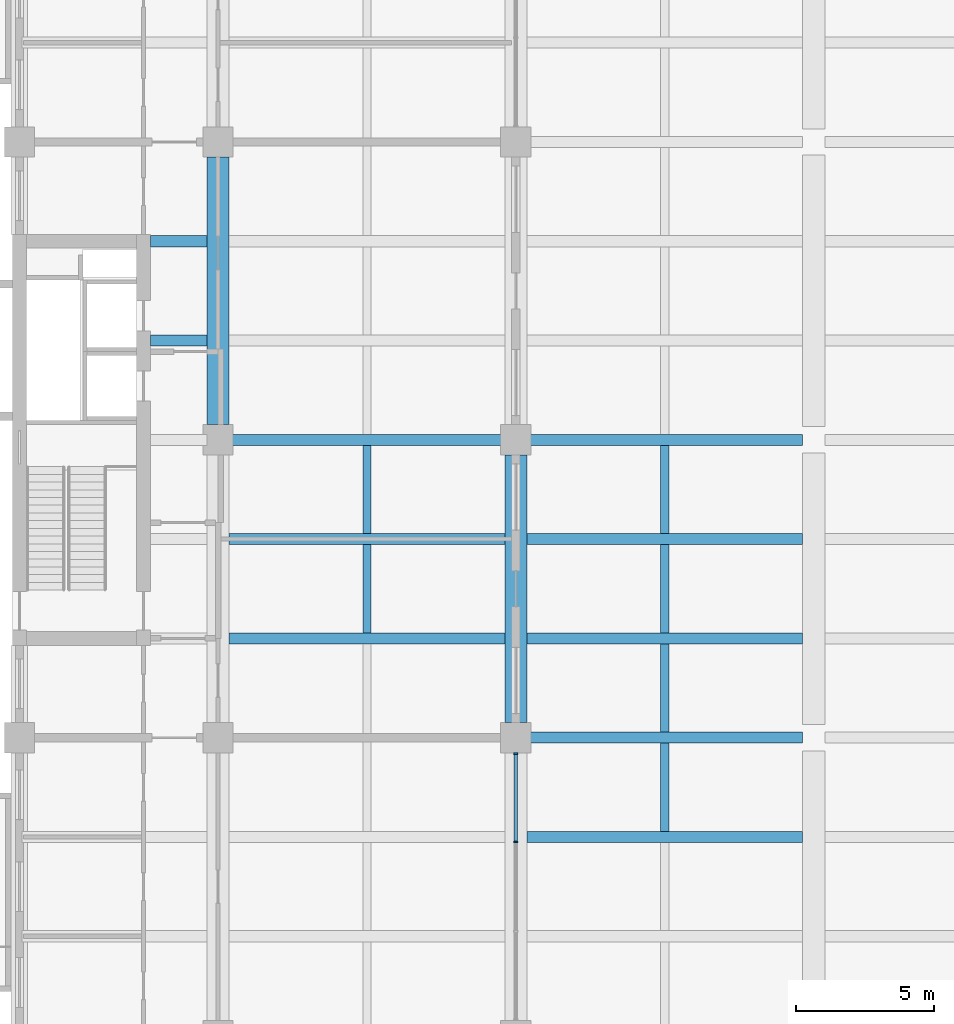
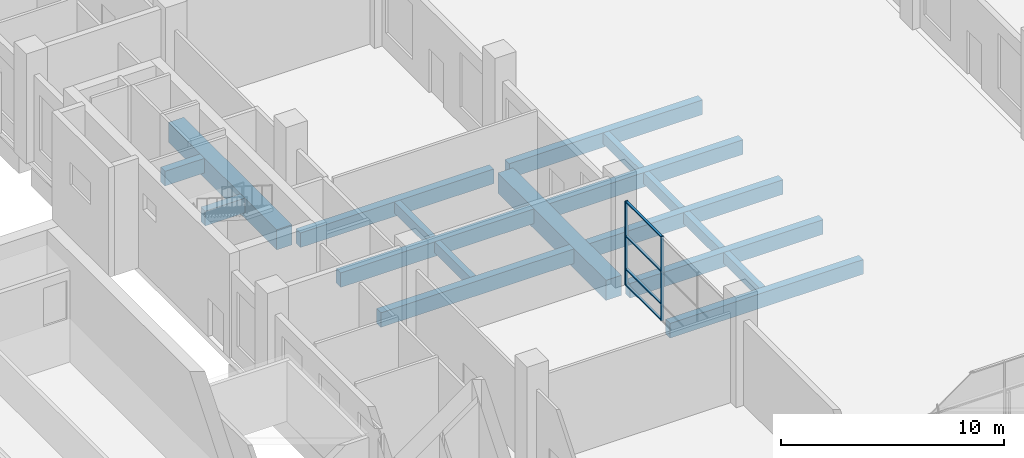
# One storey, part 23 of 71: 18 beams, 6 members, 1 element without a shape of its own.
"""IFC4 building model written with IfcOpenShell, lengths in metres."""

from ifc_helpers import new_model, si_unit, direction, frame, origin, origin_2d, place, context, subcontext, project, spatial, rectangle, extrude, material, layer, layer_set, material_profile, profile_set, type_object, element, aggregate, save


model = new_model("IFC4")

# Units and contexts
model_context = context("Model", 3, precision=1e-05, world=origin(), true_north=direction((0.0, 1.0)))
body_context = subcontext(model_context, "Body", "Model", "MODEL_VIEW")
ifc_project = project(units=[si_unit("LENGTHUNIT", "METRE"), si_unit("AREAUNIT", "SQUARE_METRE"), si_unit("VOLUMEUNIT", "CUBIC_METRE"), si_unit("PLANEANGLEUNIT", "RADIAN"), si_unit("MASSUNIT", "GRAM", prefix="KILO")], contexts=[model_context])

# Site, building, storey
site_placement = place(None, origin())
site = spatial("IfcSite", under=ifc_project, at=site_placement, CompositionType="ELEMENT")
building_placement = place(site_placement, origin())
building = spatial("IfcBuilding", under=site, at=building_placement, Name="Basin Gate Institute", CompositionType="ELEMENT")
storey_placement = place(building_placement, origin())
storey = spatial("IfcBuildingStorey", under=building, at=storey_placement, Name="L00", CompositionType="ELEMENT", Elevation=0.0)

# Beams
ifc_material_1 = material(Name="Concrete 40 MPa", Category="concrete")
ifc_material_profile_1 = material_profile(ifc_material_1, rectangle(XDim=0.39990234375, YDim=0.800048828125, at=origin_2d()), Name="Beam B2 400 x 800")
ifc_profile_set_1 = profile_set([ifc_material_profile_1], Name="Concrete 40 MPa")
beam_type_1 = type_object("IfcBeamType", Name="Beam B2 R180", PredefinedType="BEAM", material=ifc_profile_set_1)
for number, where, z_axis, x_axis, name in (
    (1, (68.800048828125, 60.300048828125, -0.699951171875), (1.0, 0.0, 0.0), (0.0, 1.0, 0.0), "BEAM/L00/W/EW/08"),
    (2, (68.800048828125, 63.89990234375, -0.699951171875), (1.0, 0.0, 0.0), (0.0, 1.0, 0.0), "BEAM/L00/W/EW/09"),
    (3, (68.800048828125, 67.5, -0.699951171875), (1.0, 0.0, 0.0), (0.0, 1.0, 0.0), "BEAM/L00/W/EW/10"),
):
    element("IfcBeam", number, at=place(storey_placement, frame(where, z_axis=z_axis, x_axis=x_axis)), inside=storey, type_object=beam_type_1, material=ifc_profile_set_1, Name=name, PredefinedType="BEAM", context=body_context, shape_type="SweptSolid", body=[
        extrude(rectangle(XDim=0.39990234375, YDim=0.800048828125, at=origin_2d()), origin(), (0.0, 0.0, 1.0), 10.0),
    ])
for number, where, z_axis, x_axis, name in (
    (4, (65.949951171875, 71.10009765625, -0.699951171875), (1.0, 0.0, 0.0), (0.0, 1.0, 0.0), "BEAM/L00/W/CORR/11"),
    (5, (65.949951171875, 74.699951171875, -0.699951171875), (1.0, 0.0, 0.0), (0.0, 1.0, 0.0), "BEAM/L00/W/CORR/12"),
):
    element("IfcBeam", number, at=place(storey_placement, frame(where, z_axis=z_axis, x_axis=x_axis)), inside=storey, type_object=beam_type_1, material=ifc_profile_set_1, Name=name, PredefinedType="BEAM", context=body_context, shape_type="SweptSolid", body=[
        extrude(rectangle(XDim=0.39990234375, YDim=0.800048828125, at=origin_2d()), origin(), (0.0, 0.0, 1.0), 2.050048828125),
    ])
for number, where, z_axis, x_axis, name in (
    (6, (79.60009765625, 53.10009765625, -0.699951171875), (1.0, 0.0, 0.0), (0.0, 1.0, 0.0), "BEAM/L00/CAN/W/06"),
    (7, (79.60009765625, 56.699951171875, -0.699951171875), (1.0, 0.0, 0.0), (0.0, 1.0, 0.0), "BEAM/L00/CAN/W/07"),
    (8, (79.60009765625, 60.300048828125, -0.699951171875), (1.0, 0.0, 0.0), (0.0, 1.0, 0.0), "BEAM/L00/CAN/W/08"),
    (9, (79.60009765625, 63.89990234375, -0.699951171875), (1.0, 0.0, 0.0), (0.0, 1.0, 0.0), "BEAM/L00/CAN/W/09"),
    (10, (79.60009765625, 67.5, -0.699951171875), (1.0, 0.0, 0.0), (0.0, 1.0, 0.0), "BEAM/L00/CAN/W/10"),
):
    element("IfcBeam", number, at=place(storey_placement, frame(where, z_axis=z_axis, x_axis=x_axis)), inside=storey, type_object=beam_type_1, material=ifc_profile_set_1, Name=name, PredefinedType="BEAM", context=body_context, shape_type="SweptSolid", body=[
        extrude(rectangle(XDim=0.39990234375, YDim=0.800048828125, at=origin_2d()), origin(), (0.0, 0.0, 1.0), 10.0),
    ])
ifc_material_2 = material(Name="Concrete 50 MPa", Category="concrete")
ifc_material_profile_2 = material_profile(ifc_material_2, rectangle(XDim=0.800048828125, YDim=1.10009765625, at=origin_2d()), Name="Girder G2 800 x 1100")
ifc_profile_set_2 = profile_set([ifc_material_profile_2], Name="Concrete 50 MPa")
beam_type_2 = type_object("IfcBeamType", Name="Girder G2 R180", PredefinedType="BEAM", material=ifc_profile_set_2)
for number, where, z_axis, x_axis, name in (
    (11, (68.39990234375, 68.050048828125, -0.85009765625), (0.0, 1.0, 0.0), (-1.0, 0.0, 0.0), "GIR/L00/W5/4"),
    (12, (79.199951171875, 57.25, -0.85009765625), (0.0, 1.0, 0.0), (-1.0, 0.0, 0.0), "GIR/L00/W6/3"),
):
    element("IfcBeam", number, at=place(storey_placement, frame(where, z_axis=z_axis, x_axis=x_axis)), inside=storey, type_object=beam_type_2, material=ifc_profile_set_2, Name=name, PredefinedType="BEAM", context=body_context, shape_type="SweptSolid", body=[
        extrude(rectangle(XDim=0.800048828125, YDim=1.10009765625, at=origin_2d()), origin(), (0.0, 0.0, 1.0), 9.699951171875),
    ])

# Curtain wall, members
ifc_material_3 = material(Name="Fire-resistant glazing in steel-free frame", Category="steel")
ifc_layer = layer(ifc_material_3, 0.199951171875)
ifc_layer_set = layer_set([ifc_layer], Name="Fire-resistant glazing in steel-free frame")
curtain_wall_type = type_object("IfcCurtainWallType", Name="Atrium rated curtain wall CW3", PredefinedType="NOTDEFINED", material=ifc_layer_set)
curtain_wall_placement = place(storey_placement, origin())
curtain_wall = element("IfcCurtainWall", 13, at=curtain_wall_placement, inside=storey, type_object=curtain_wall_type, material=ifc_layer_set, Name="Atrium rated curtain wall W wing atrium bay 2 L00", PredefinedType="NOTDEFINED")
ifc_material_4 = material(Name="Aluminium", Category="aluminium")
ifc_material_profile_3 = material_profile(ifc_material_4, rectangle(XDim=0.14990234375, YDim=0.06005859375, at=origin_2d()), Name="Mullion MU3 150 x 60")
ifc_profile_set_3 = profile_set([ifc_material_profile_3], Name="Aluminium")
member_type_1 = type_object("IfcMemberType", Name="Mullion MU3", PredefinedType="MULLION", material=ifc_profile_set_3)
member_1_placement = place(storey_placement, frame((79.199951171875, 52.916748046875, 0.0), z_axis=(0.0, 0.0, 1.0), x_axis=(-1.0, 0.0, 0.0)))
member_1 = element("IfcMember", 14, at=member_1_placement, type_object=member_type_1, material=ifc_profile_set_3, Name="CW3 mullion 3", PredefinedType="MULLION", context=body_context, shape_type="SweptSolid", body=[
    extrude(rectangle(XDim=0.14990234375, YDim=0.06005859375, at=origin_2d()), origin(), (0.0, 0.0, 1.0), 4.60009765625),
])
member_2_placement = place(storey_placement, frame((79.199951171875, 56.1201171875, 0.0), z_axis=(0.0, 0.0, 1.0), x_axis=(-1.0, 0.0, 0.0)))
member_2 = element("IfcMember", 15, at=member_2_placement, type_object=member_type_1, material=ifc_profile_set_3, Name="CW3 mullion 4", PredefinedType="MULLION", context=body_context, shape_type="SweptSolid", body=[
    extrude(rectangle(XDim=0.14990234375, YDim=0.06005859375, at=origin_2d()), origin(), (0.0, 0.0, 1.0), 4.60009765625),
])

# Beams
ifc_material_5 = material(Name="Concrete 40 MPa", Category="concrete")
ifc_material_profile_4 = material_profile(ifc_material_5, rectangle(XDim=0.300048828125, YDim=0.60009765625, at=origin_2d()), Name="Rib R2 300 x 600")
ifc_profile_set_4 = profile_set([ifc_material_profile_4], Name="Concrete 40 MPa")
beam_type_3 = type_object("IfcBeamType", Name="Rib R2 R180", PredefinedType="JOIST", material=ifc_profile_set_4)
for number, where, z_axis, x_axis, name in (
    (16, (73.800048828125, 60.5, -0.60009765625), (0.0, 1.0, 0.0), (-1.0, 0.0, 0.0), "BEAM/L00/W/RIB/08"),
    (17, (73.800048828125, 64.10009765625, -0.60009765625), (0.0, 1.0, 0.0), (-1.0, 0.0, 0.0), "BEAM/L00/W/RIB/09"),
    (18, (84.60009765625, 53.300048828125, -0.60009765625), (0.0, 1.0, 0.0), (-1.0, 0.0, 0.0), "BEAM/L00/CAN/RIBW/06"),
):
    element("IfcBeam", number, at=place(storey_placement, frame(where, z_axis=z_axis, x_axis=x_axis)), inside=storey, type_object=beam_type_3, material=ifc_profile_set_4, Name=name, PredefinedType="JOIST", context=body_context, shape_type="SweptSolid", body=[
        extrude(rectangle(XDim=0.300048828125, YDim=0.60009765625, at=origin_2d()), origin(), (0.0, 0.0, 1.0), 3.199951171875),
    ])
beam_placement = place(storey_placement, frame((84.60009765625, 56.89990234375, -0.60009765625), z_axis=(0.0, 1.0, 0.0), x_axis=(-1.0, 0.0, 0.0)))
element("IfcBeam", 19, at=beam_placement, inside=storey, type_object=beam_type_3, material=ifc_profile_set_4, Name="BEAM/L00/CAN/RIBW/07", PredefinedType="JOIST", context=body_context, shape_type="SweptSolid", body=[
    extrude(rectangle(XDim=0.300048828125, YDim=0.60009765625, at=origin_2d()), origin(), (0.0, 0.0, 1.0), 3.2001953125),
])
for number, where, z_axis, x_axis, name in (
    (20, (84.60009765625, 60.5, -0.60009765625), (0.0, 1.0, 0.0), (-1.0, 0.0, 0.0), "BEAM/L00/CAN/RIBW/08"),
    (21, (84.60009765625, 64.10009765625, -0.60009765625), (0.0, 1.0, 0.0), (-1.0, 0.0, 0.0), "BEAM/L00/CAN/RIBW/09"),
):
    element("IfcBeam", number, at=place(storey_placement, frame(where, z_axis=z_axis, x_axis=x_axis)), inside=storey, type_object=beam_type_3, material=ifc_profile_set_4, Name=name, PredefinedType="JOIST", context=body_context, shape_type="SweptSolid", body=[
        extrude(rectangle(XDim=0.300048828125, YDim=0.60009765625, at=origin_2d()), origin(), (0.0, 0.0, 1.0), 3.199951171875),
    ])

# Member
ifc_material_6 = material(Name="Aluminium", Category="aluminium")
ifc_material_profile_5 = material_profile(ifc_material_6, rectangle(XDim=0.1201171875, YDim=0.06005859375, at=origin_2d()), Name="Transom TR3 120 x 60")
ifc_profile_set_5 = profile_set([ifc_material_profile_5], Name="Aluminium")
member_type_2 = type_object("IfcMemberType", Name="Transom TR3", PredefinedType="USERDEFINED", material=ifc_profile_set_5)
member_3_placement = place(storey_placement, frame((79.199951171875, 52.94677734375, 0.030029296875), z_axis=(0.0, 1.0, 0.0), x_axis=(-1.0, 0.0, 0.0)))
member_3 = element("IfcMember", 22, at=member_3_placement, type_object=member_type_2, material=ifc_profile_set_5, Name="CW3 transom 3.1", ObjectType="TRANSOM", PredefinedType="USERDEFINED", context=body_context, shape_type="SweptSolid", body=[
    extrude(rectangle(XDim=0.1201171875, YDim=0.06005859375, at=origin_2d()), origin(), (0.0, 0.0, 1.0), 3.143310546875),
])

member_4_placement = place(storey_placement, frame((79.199951171875, 52.94677734375, 0.89990234375), z_axis=(0.0, 1.0, 0.0), x_axis=(-1.0, 0.0, 0.0)))
member_4 = element("IfcMember", 23, at=member_4_placement, type_object=member_type_2, material=ifc_profile_set_5, Name="CW3 transom 3.2", ObjectType="TRANSOM", PredefinedType="USERDEFINED", context=body_context, shape_type="SweptSolid", body=[
    extrude(rectangle(XDim=0.1201171875, YDim=0.06005859375, at=origin_2d()), origin(), (0.0, 0.0, 1.0), 3.143310546875),
])

member_5_placement = place(storey_placement, frame((79.199951171875, 52.94677734375, 2.699951171875), z_axis=(0.0, 1.0, 0.0), x_axis=(-1.0, 0.0, 0.0)))
member_5 = element("IfcMember", 24, at=member_5_placement, type_object=member_type_2, material=ifc_profile_set_5, Name="CW3 transom 3.3", ObjectType="TRANSOM", PredefinedType="USERDEFINED", context=body_context, shape_type="SweptSolid", body=[
    extrude(rectangle(XDim=0.1201171875, YDim=0.06005859375, at=origin_2d()), origin(), (0.0, 0.0, 1.0), 3.143310546875),
])

member_6_placement = place(storey_placement, frame((79.199951171875, 52.94677734375, 4.570068359375), z_axis=(0.0, 1.0, 0.0), x_axis=(-1.0, 0.0, 0.0)))
member_6 = element("IfcMember", 25, at=member_6_placement, type_object=member_type_2, material=ifc_profile_set_5, Name="CW3 transom 3.4", ObjectType="TRANSOM", PredefinedType="USERDEFINED", context=body_context, shape_type="SweptSolid", body=[
    extrude(rectangle(XDim=0.1201171875, YDim=0.06005859375, at=origin_2d()), origin(), (0.0, 0.0, 1.0), 3.143310546875),
])

aggregate(curtain_wall, [member_1, member_2, member_3, member_4, member_5, member_6])

save(model, "model.ifc")
